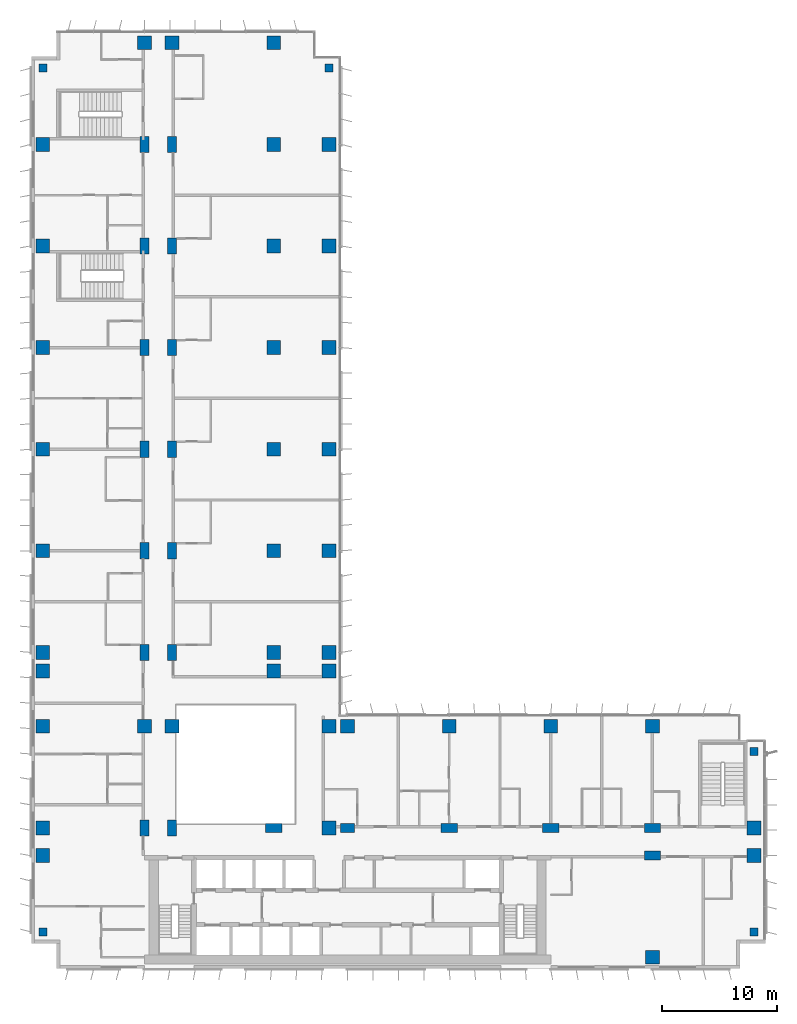
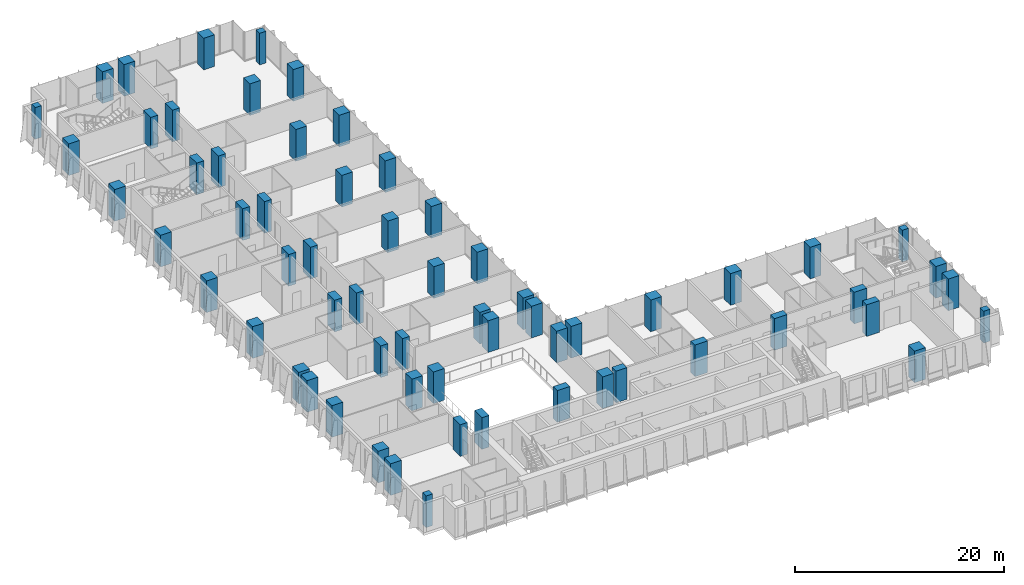
# One storey, part 1 of 22: 63 columns.
"""IFC4 building model written with IfcOpenShell, lengths in metres."""

from ifc_helpers import new_model, si_unit, direction, frame, origin, origin_2d, place, context, subcontext, project, spatial, rectangle, extrude, material, material_profile, profile_set, type_object, element, save


model = new_model("IFC4")

# Units and contexts
model_context = context("Model", 3, precision=1e-05, world=origin(), true_north=direction((0.0, 1.0)))
body_context = subcontext(model_context, "Body", "Model", "MODEL_VIEW")
ifc_project = project(units=[si_unit("LENGTHUNIT", "METRE"), si_unit("AREAUNIT", "SQUARE_METRE"), si_unit("VOLUMEUNIT", "CUBIC_METRE"), si_unit("PLANEANGLEUNIT", "RADIAN"), si_unit("MASSUNIT", "GRAM", prefix="KILO")], contexts=[model_context])

# Site, building, storey
site_placement = place(None, origin())
site = spatial("IfcSite", under=ifc_project, at=site_placement, CompositionType="ELEMENT")
building_placement = place(site_placement, origin())
building = spatial("IfcBuilding", under=site, at=building_placement, Name="Kemantara Hotel Tower", CompositionType="ELEMENT")
storey_placement = place(building_placement, frame((0.0, 0.0, 145.699951171875)))
storey = spatial("IfcBuildingStorey", under=building, at=storey_placement, Name="L35", CompositionType="ELEMENT", Elevation=145.699951171875)

# Columns
ifc_material = material(Name="Concrete fc 60 MPa", Category="concrete")
ifc_material_profile_1 = material_profile(ifc_material, rectangle(XDim=1.199951171875, YDim=1.199951171875, at=origin_2d()), Name="RC 1200X1200")
ifc_profile_set_1 = profile_set([ifc_material_profile_1], Name="Concrete fc 60 MPa")
column_type_1 = type_object("IfcColumnType", Name="RC COLUMN 1200X1200 FC60", PredefinedType="COLUMN", material=ifc_profile_set_1)
for number, where, z_axis, x_axis, name in (
    (1, (1.0, 9.800048828125, 0.0), (0.0, 0.0, 1.0), (1.0, 0.0, 0.0), "COLUMN 1/B L35"),
    (2, (1.0, 12.199951171875, 0.0), (0.0, 0.0, 1.0), (1.0, 0.0, 0.0), "COLUMN 1/BA L35"),
    (3, (1.0, 21.0, 0.0), (0.0, 0.0, 1.0), (1.0, 0.0, 0.0), "COLUMN 1/C L35"),
    (4, (1.0, 25.800048828125, 0.0), (0.0, 0.0, 1.0), (1.0, 0.0, 0.0), "COLUMN 1/CA L35"),
    (5, (1.0, 27.39990234375, 0.0), (0.0, 0.0, 1.0), (1.0, 0.0, 0.0), "COLUMN 1/D L35"),
    (6, (1.0, 36.199951171875, 0.0), (0.0, 0.0, 1.0), (1.0, 0.0, 0.0), "COLUMN 1/E L35"),
    (7, (1.0, 45.0, 0.0), (0.0, 0.0, 1.0), (1.0, 0.0, 0.0), "COLUMN 1/F L35"),
    (8, (1.0, 53.800048828125, 0.0), (0.0, 0.0, 1.0), (1.0, 0.0, 0.0), "COLUMN 1/G L35"),
    (9, (1.0, 62.60009765625, 0.0), (0.0, 0.0, 1.0), (1.0, 0.0, 0.0), "COLUMN 1/H L35"),
    (10, (1.0, 71.39990234375, 0.0), (0.0, 0.0, 1.0), (1.0, 0.0, 0.0), "COLUMN 1/J L35"),
    (11, (9.800048828125, 21.0, 0.0), (0.0, 0.0, 1.0), (1.0, 0.0, 0.0), "COLUMN 2/C L35"),
    (12, (9.800048828125, 80.199951171875, 0.0), (0.0, 0.0, 1.0), (1.0, 0.0, 0.0), "COLUMN 2/K L35"),
    (13, (12.199951171875, 21.0, 0.0), (0.0, 0.0, 1.0), (1.0, 0.0, 0.0), "COLUMN 2A/C L35"),
    (14, (12.199951171875, 80.199951171875, 0.0), (0.0, 0.0, 1.0), (1.0, 0.0, 0.0), "COLUMN 2A/K L35"),
    (15, (21.0, 25.800048828125, 0.0), (0.0, 0.0, 1.0), (1.0, 0.0, 0.0), "COLUMN 3/CA L35"),
    (16, (21.0, 27.39990234375, 0.0), (0.0, 0.0, 1.0), (1.0, 0.0, 0.0), "COLUMN 3/D L35"),
    (17, (21.0, 36.199951171875, 0.0), (0.0, 0.0, 1.0), (1.0, 0.0, 0.0), "COLUMN 3/E L35"),
    (18, (21.0, 45.0, 0.0), (0.0, 0.0, 1.0), (1.0, 0.0, 0.0), "COLUMN 3/F L35"),
    (19, (21.0, 53.800048828125, 0.0), (0.0, 0.0, 1.0), (1.0, 0.0, 0.0), "COLUMN 3/G L35"),
    (20, (21.0, 62.60009765625, 0.0), (0.0, 0.0, 1.0), (1.0, 0.0, 0.0), "COLUMN 3/H L35"),
    (21, (21.0, 71.39990234375, 0.0), (0.0, 0.0, 1.0), (1.0, 0.0, 0.0), "COLUMN 3/J L35"),
    (22, (21.0, 80.199951171875, 0.0), (0.0, 0.0, 1.0), (1.0, 0.0, 0.0), "COLUMN 3/K L35"),
    (23, (25.800048828125, 12.199951171875, 0.0), (0.0, 0.0, 1.0), (1.0, 0.0, 0.0), "COLUMN 3A/BA L35"),
    (24, (25.800048828125, 21.0, 0.0), (0.0, 0.0, 1.0), (1.0, 0.0, 0.0), "COLUMN 3A/C L35"),
    (25, (25.800048828125, 25.800048828125, 0.0), (0.0, 0.0, 1.0), (1.0, 0.0, 0.0), "COLUMN 3A/CA L35"),
    (26, (25.800048828125, 27.39990234375, 0.0), (0.0, 0.0, 1.0), (1.0, 0.0, 0.0), "COLUMN 3A/D L35"),
    (27, (25.800048828125, 36.199951171875, 0.0), (0.0, 0.0, 1.0), (1.0, 0.0, 0.0), "COLUMN 3A/E L35"),
    (28, (25.800048828125, 45.0, 0.0), (0.0, 0.0, 1.0), (1.0, 0.0, 0.0), "COLUMN 3A/F L35"),
    (29, (25.800048828125, 53.800048828125, 0.0), (0.0, 0.0, 1.0), (1.0, 0.0, 0.0), "COLUMN 3A/G L35"),
    (30, (25.800048828125, 62.60009765625, 0.0), (0.0, 0.0, 1.0), (1.0, 0.0, 0.0), "COLUMN 3A/H L35"),
    (31, (25.800048828125, 71.39990234375, 0.0), (0.0, 0.0, 1.0), (1.0, 0.0, 0.0), "COLUMN 3A/J L35"),
    (32, (27.39990234375, 21.0, 0.0), (0.0, 0.0, 1.0), (1.0, 0.0, 0.0), "COLUMN 4/C L35"),
    (33, (36.199951171875, 21.0, 0.0), (0.0, 0.0, 1.0), (1.0, 0.0, 0.0), "COLUMN 5/C L35"),
    (34, (45.0, 21.0, 0.0), (0.0, 0.0, 1.0), (1.0, 0.0, 0.0), "COLUMN 6/C L35"),
    (35, (53.800048828125, 1.0, 0.0), (0.0, 0.0, 1.0), (1.0, 0.0, 0.0), "COLUMN 7/A L35"),
    (36, (53.800048828125, 21.0, 0.0), (0.0, 0.0, 1.0), (1.0, 0.0, 0.0), "COLUMN 7/C L35"),
    (37, (62.60009765625, 9.800048828125, 0.0), (0.0, 0.0, 1.0), (1.0, 0.0, 0.0), "COLUMN 8/B L35"),
    (38, (62.60009765625, 12.199951171875, 0.0), (0.0, 0.0, 1.0), (1.0, 0.0, 0.0), "COLUMN 8/BA L35"),
):
    element("IfcColumn", number, at=place(storey_placement, frame(where, z_axis=z_axis, x_axis=x_axis)), inside=storey, type_object=column_type_1, Name=name, PredefinedType="COLUMN", context=body_context, shape_type="SweptSolid", body=[
        extrude(rectangle(XDim=1.199951171875, YDim=1.199951171875, at=origin_2d()), origin(), (0.0, 0.0, 1.0), 3.699951171875),
    ])
ifc_material_profile_2 = material_profile(ifc_material, rectangle(XDim=1.199951171875, YDim=0.800048828125, at=origin_2d()), Name="RC 1200X800")
ifc_profile_set_2 = profile_set([ifc_material_profile_2], Name="Concrete fc 60 MPa")
column_type_2 = type_object("IfcColumnType", Name="RC COLUMN 1200X800 FC60", PredefinedType="COLUMN", material=ifc_profile_set_2)
column_placement = place(storey_placement, frame((27.39990234375, 12.199951171875, 0.0), z_axis=(0.0, 0.0, 1.0), x_axis=(1.0, 0.0, 0.0)))
element("IfcColumn", 39, at=column_placement, inside=storey, type_object=column_type_2, Name="COLUMN 4/BA L35", PredefinedType="COLUMN", context=body_context, shape_type="SweptSolid", body=[
    extrude(rectangle(XDim=1.199951171875, YDim=0.800048828125, at=origin_2d()), origin(), (0.0, 0.0, 1.0), 3.699951171875),
])
ifc_material_profile_3 = material_profile(ifc_material, rectangle(XDim=1.39990234375, YDim=0.800048828125, at=origin_2d()), Name="RC 1400X800")
ifc_profile_set_3 = profile_set([ifc_material_profile_3], Name="Concrete fc 60 MPa")
column_type_3 = type_object("IfcColumnType", Name="RC COLUMN 1400X800 FC60", PredefinedType="COLUMN", material=ifc_profile_set_3)
for number, where, z_axis, x_axis, name in (
    (40, (9.800048828125, 12.199951171875, 0.0), (0.0, 0.0, 1.0), (0.0, 1.0, 0.0), "COLUMN 2/BA L35"),
    (41, (9.800048828125, 27.39990234375, 0.0), (0.0, 0.0, 1.0), (0.0, 1.0, 0.0), "COLUMN 2/D L35"),
    (42, (9.800048828125, 36.199951171875, 0.0), (0.0, 0.0, 1.0), (0.0, 1.0, 0.0), "COLUMN 2/E L35"),
    (43, (9.800048828125, 45.0, 0.0), (0.0, 0.0, 1.0), (0.0, 1.0, 0.0), "COLUMN 2/F L35"),
    (44, (9.800048828125, 53.800048828125, 0.0), (0.0, 0.0, 1.0), (0.0, 1.0, 0.0), "COLUMN 2/G L35"),
    (45, (9.800048828125, 62.60009765625, 0.0), (0.0, 0.0, 1.0), (0.0, 1.0, 0.0), "COLUMN 2/H L35"),
    (46, (9.800048828125, 71.39990234375, 0.0), (0.0, 0.0, 1.0), (0.0, 1.0, 0.0), "COLUMN 2/J L35"),
    (47, (12.199951171875, 12.199951171875, 0.0), (0.0, 0.0, 1.0), (0.0, 1.0, 0.0), "COLUMN 2A/BA L35"),
    (48, (12.199951171875, 27.39990234375, 0.0), (0.0, 0.0, 1.0), (0.0, 1.0, 0.0), "COLUMN 2A/D L35"),
    (49, (12.199951171875, 36.199951171875, 0.0), (0.0, 0.0, 1.0), (0.0, 1.0, 0.0), "COLUMN 2A/E L35"),
    (50, (12.199951171875, 45.0, 0.0), (0.0, 0.0, 1.0), (0.0, 1.0, 0.0), "COLUMN 2A/F L35"),
    (51, (12.199951171875, 53.800048828125, 0.0), (0.0, 0.0, 1.0), (0.0, 1.0, 0.0), "COLUMN 2A/G L35"),
    (52, (12.199951171875, 62.60009765625, 0.0), (0.0, 0.0, 1.0), (0.0, 1.0, 0.0), "COLUMN 2A/H L35"),
    (53, (12.199951171875, 71.39990234375, 0.0), (0.0, 0.0, 1.0), (0.0, 1.0, 0.0), "COLUMN 2A/J L35"),
    (54, (21.0, 12.199951171875, 0.0), (0.0, 0.0, 1.0), (1.0, 0.0, 0.0), "COLUMN 3/BA L35"),
    (55, (36.199951171875, 12.199951171875, 0.0), (0.0, 0.0, 1.0), (1.0, 0.0, 0.0), "COLUMN 5/BA L35"),
    (56, (45.0, 12.199951171875, 0.0), (0.0, 0.0, 1.0), (1.0, 0.0, 0.0), "COLUMN 6/BA L35"),
    (57, (53.800048828125, 9.800048828125, 0.0), (0.0, 0.0, 1.0), (1.0, 0.0, 0.0), "COLUMN 7/B L35"),
    (58, (53.800048828125, 12.199951171875, 0.0), (0.0, 0.0, 1.0), (1.0, 0.0, 0.0), "COLUMN 7/BA L35"),
):
    element("IfcColumn", number, at=place(storey_placement, frame(where, z_axis=z_axis, x_axis=x_axis)), inside=storey, type_object=column_type_3, Name=name, PredefinedType="COLUMN", context=body_context, shape_type="SweptSolid", body=[
        extrude(rectangle(XDim=1.39990234375, YDim=0.800048828125, at=origin_2d()), origin(), (0.0, 0.0, 1.0), 3.699951171875),
    ])
ifc_material_profile_4 = material_profile(ifc_material, rectangle(XDim=0.699951171875, YDim=0.699951171875, at=origin_2d()), Name="RC 700X700")
ifc_profile_set_4 = profile_set([ifc_material_profile_4], Name="Concrete fc 60 MPa")
column_type_4 = type_object("IfcColumnType", Name="RC COLUMN 700X700 FC60", PredefinedType="COLUMN", material=ifc_profile_set_4)
for number, where, z_axis, x_axis, name in (
    (59, (1.0, 3.199951171875, 0.0), (0.0, 0.0, 1.0), (1.0, 0.0, 0.0), "COLUMN notch corner L35"),
    (60, (1.0, 78.0, 0.0), (0.0, 0.0, 1.0), (1.0, 0.0, 0.0), "COLUMN notch corner L35"),
    (61, (25.800048828125, 78.0, 0.0), (0.0, 0.0, 1.0), (1.0, 0.0, 0.0), "COLUMN notch corner L35"),
    (62, (62.60009765625, 3.199951171875, 0.0), (0.0, 0.0, 1.0), (1.0, 0.0, 0.0), "COLUMN notch corner L35"),
    (63, (62.60009765625, 18.800048828125, 0.0), (0.0, 0.0, 1.0), (1.0, 0.0, 0.0), "COLUMN notch corner L35"),
):
    element("IfcColumn", number, at=place(storey_placement, frame(where, z_axis=z_axis, x_axis=x_axis)), inside=storey, type_object=column_type_4, Name=name, PredefinedType="COLUMN", context=body_context, shape_type="SweptSolid", body=[
        extrude(rectangle(XDim=0.699951171875, YDim=0.699951171875, at=origin_2d()), origin(), (0.0, 0.0, 1.0), 3.699951171875),
    ])

save(model, "model.ifc")
